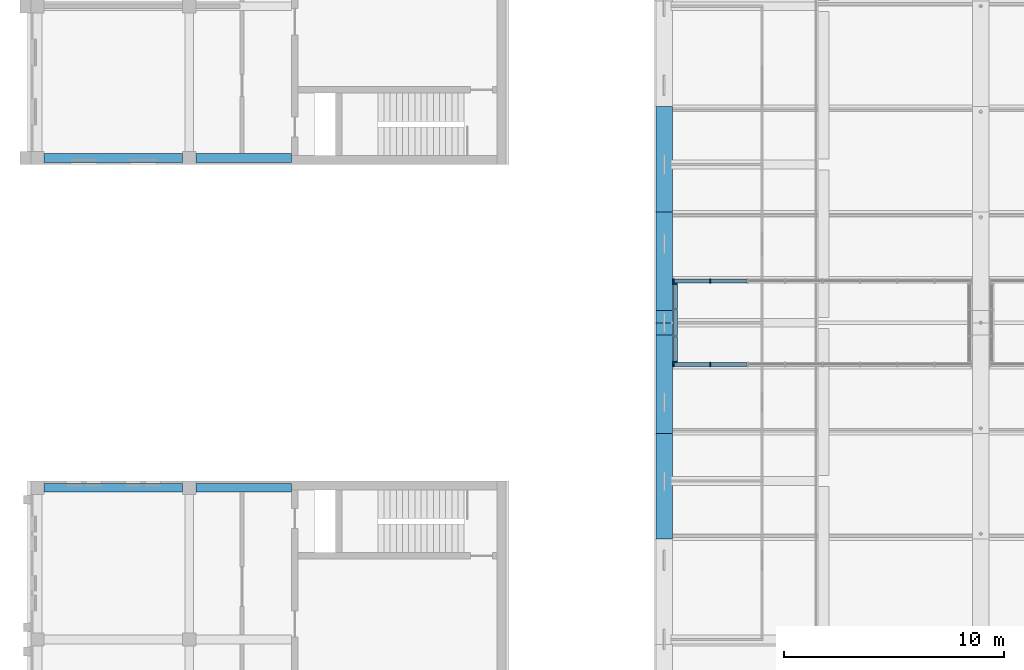
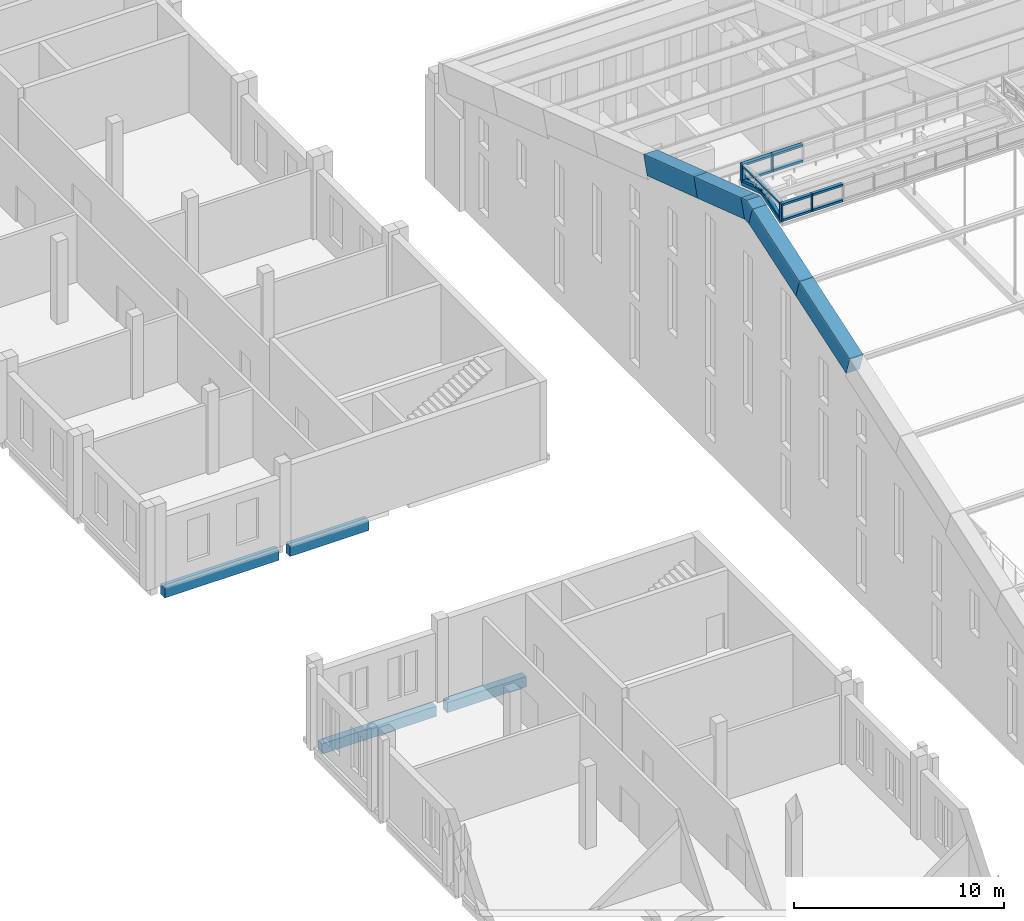
# One storey, part 28 of 149: 23 members, 8 beams, 3 elements without a shape of their own.
"""IFC4 building model written with IfcOpenShell, lengths in metres."""

from ifc_helpers import new_model, si_unit, direction, frame, origin, origin_2d, place, context, subcontext, project, spatial, polyline, rectangle, outline, extrude, material, material_profile, profile_set, type_object, element, aggregate, save


model = new_model("IFC4")

# Units and contexts
model_context = context("Model", 3, precision=1e-05, world=origin(), true_north=direction((0.0, 1.0)))
body_context = subcontext(model_context, "Body", "Model", "MODEL_VIEW")
ifc_project = project(units=[si_unit("LENGTHUNIT", "METRE"), si_unit("AREAUNIT", "SQUARE_METRE"), si_unit("VOLUMEUNIT", "CUBIC_METRE"), si_unit("PLANEANGLEUNIT", "RADIAN"), si_unit("MASSUNIT", "GRAM", prefix="KILO")], contexts=[model_context])

# Site, building, storey
site_placement = place(None, origin())
site = spatial("IfcSite", under=ifc_project, at=site_placement, CompositionType="ELEMENT")
building_placement = place(site_placement, origin())
building = spatial("IfcBuilding", under=site, at=building_placement, Name="Alderwick Market Hall", CompositionType="ELEMENT")
storey_placement = place(building_placement, frame((0.0, 0.0, 9.60009765625)))
storey = spatial("IfcBuildingStorey", under=building, at=storey_placement, Name="L01", CompositionType="ELEMENT", Elevation=9.60009765625)

# Beams
ifc_material_1 = material(Name="Concrete 5000 psi (f'c 35 MPa)", Category="concrete")
ifc_material_profile_1 = material_profile(ifc_material_1, rectangle(XDim=0.39990234375, YDim=0.60009765625, at=origin_2d()), Name="B RC Beam 400x600")
ifc_profile_set_1 = profile_set([ifc_material_profile_1], Name="Concrete 5000 psi (f'c 35 MPa)")
beam_type_1 = type_object("IfcBeamType", Name="B RC Beam 400x600", PredefinedType="BEAM", material=ifc_profile_set_1)
beam_1_placement = place(storey_placement, frame((22.199951171875, 86.699951171875, -0.550048828125), z_axis=(1.0, 0.0, 0.0), x_axis=(0.0, 1.0, 0.0)))
element("IfcBeam", 1, at=beam_1_placement, inside=storey, type_object=beam_type_1, Name="B.N.beam.L01.u429-0006", PredefinedType="BEAM", context=body_context, shape_type="SweptSolid", body=[
    extrude(rectangle(XDim=0.39990234375, YDim=0.60009765625, at=origin_2d()), origin(), (0.0, 0.0, 1.0), 6.300048828125),
])
beam_2_placement = place(storey_placement, frame((29.10009765625, 86.699951171875, -0.550048828125), z_axis=(1.0, 0.0, 0.0), x_axis=(0.0, 1.0, 0.0)))
element("IfcBeam", 2, at=beam_2_placement, inside=storey, type_object=beam_type_1, Name="B.N.beam.L01.u429-0075", PredefinedType="BEAM", context=body_context, shape_type="SweptSolid", body=[
    extrude(rectangle(XDim=0.39990234375, YDim=0.60009765625, at=origin_2d()), origin(), (0.0, 0.0, 1.0), 4.349853515625),
])
beam_3_placement = place(storey_placement, frame((22.199951171875, 71.699951171875, -0.550048828125), z_axis=(1.0, 0.0, 0.0), x_axis=(0.0, 1.0, 0.0)))
element("IfcBeam", 3, at=beam_3_placement, inside=storey, type_object=beam_type_1, Name="B.S.beam.L01.u429-0006", PredefinedType="BEAM", context=body_context, shape_type="SweptSolid", body=[
    extrude(rectangle(XDim=0.39990234375, YDim=0.60009765625, at=origin_2d()), origin(), (0.0, 0.0, 1.0), 6.300048828125),
])
beam_4_placement = place(storey_placement, frame((29.10009765625, 71.699951171875, -0.550048828125), z_axis=(1.0, 0.0, 0.0), x_axis=(0.0, 1.0, 0.0)))
element("IfcBeam", 4, at=beam_4_placement, inside=storey, type_object=beam_type_1, Name="B.S.beam.L01.u429-0075", PredefinedType="BEAM", context=body_context, shape_type="SweptSolid", body=[
    extrude(rectangle(XDim=0.39990234375, YDim=0.60009765625, at=origin_2d()), origin(), (0.0, 0.0, 1.0), 4.349853515625),
])
ifc_material_profile_2 = material_profile(ifc_material_1, rectangle(XDim=0.75, YDim=1.10009765625, at=origin_2d()), Name="RC 750x1100")
ifc_profile_set_2 = profile_set([ifc_material_profile_2], Name="Concrete 5000 psi (f'c 35 MPa)")
beam_type_2 = type_object("IfcBeamType", Name="R Arch Rib Crown 750x1100", PredefinedType="BEAM", material=ifc_profile_set_2)
beam_5_placement = place(storey_placement, frame((50.39990234375, 69.536865234375, 13.189697265625), z_axis=(0.0, 0.948688123414, 0.316213289559), x_axis=(-1.0, 0.0, 0.0)))
element("IfcBeam", 5, at=beam_5_placement, inside=storey, type_object=beam_type_2, Name="Arch rib 1 chord 5", PredefinedType="BEAM", context=body_context, shape_type="SweptSolid", body=[
    extrude(rectangle(XDim=0.75, YDim=1.10009765625, at=origin_2d()), origin(), (0.0, 0.0, 1.0), 5.059326171875),
])
beam_6_placement = place(storey_placement, frame((50.39990234375, 74.336669921875, 14.78955078125), z_axis=(0.0, 0.948678138981, 0.316243242806), x_axis=(-1.0, 0.0, 0.0)))
element("IfcBeam", 6, at=beam_6_placement, inside=storey, type_object=beam_type_2, Name="Arch rib 1 chord 6", PredefinedType="BEAM", context=body_context, shape_type="SweptSolid", body=[
    extrude(rectangle(XDim=0.75, YDim=1.10009765625, at=origin_2d()), origin(), (0.0, 0.0, 1.0), 4.732421875),
])
beam_7_placement = place(storey_placement, frame((50.39990234375, 79.573974609375, 16.2861328125), z_axis=(0.0, 0.948672979153, -0.316258721025), x_axis=(-1.0, 0.0, 0.0)))
element("IfcBeam", 7, at=beam_7_placement, inside=storey, type_object=beam_type_2, Name="Arch rib 1 chord 7", PredefinedType="BEAM", context=body_context, shape_type="SweptSolid", body=[
    extrude(rectangle(XDim=0.75, YDim=1.10009765625, at=origin_2d()), origin(), (0.0, 0.0, 1.0), 4.732177734375),
])
beam_8_placement = place(storey_placement, frame((50.39990234375, 84.063232421875, 14.78955078125), z_axis=(0.0, 0.948692948114, -0.316198814353), x_axis=(-1.0, 0.0, 0.0)))
element("IfcBeam", 8, at=beam_8_placement, inside=storey, type_object=beam_type_2, Name="Arch rib 1 chord 8", PredefinedType="BEAM", context=body_context, shape_type="SweptSolid", body=[
    extrude(rectangle(XDim=0.75, YDim=1.10009765625, at=origin_2d()), origin(), (0.0, 0.0, 1.0), 5.0595703125),
])

# Curtain wall, members
ifc_material_2 = material(Name="Aluminium", Category="aluminium")
curtain_wall_type = type_object("IfcCurtainWallType", Name="R Curtain Wall Frame", PredefinedType="NOTDEFINED", material=ifc_material_2)
curtain_wall_1_placement = place(storey_placement, origin())
curtain_wall_1 = element("IfcCurtainWall", 9, at=curtain_wall_1_placement, inside=storey, type_object=curtain_wall_type, Name="Curtain wall LCW S1", PredefinedType="NOTDEFINED")
ifc_material_profile_3 = material_profile(ifc_material_2, rectangle(XDim=0.199951171875, YDim=0.06005859375, at=origin_2d()), Name="AL 60x200")
ifc_profile_set_3 = profile_set([ifc_material_profile_3], Name="Aluminium")
member_type_1 = type_object("IfcMemberType", Name="R CW Mullion 60x200", PredefinedType="MULLION", material=ifc_profile_set_3)
member_1_placement = place(storey_placement, frame((50.830078125, 77.300048828125, 16.670166015625), z_axis=(0.0, 0.0, 1.0), x_axis=(0.0, 1.0, 0.0)))
member_1 = element("IfcMember", 10, at=member_1_placement, type_object=member_type_1, Name="LCW S1 mullion 1", PredefinedType="MULLION", context=body_context, shape_type="SweptSolid", body=[
    extrude(rectangle(XDim=0.199951171875, YDim=0.06005859375, at=origin_2d()), origin(), (0.0, 0.0, 1.0), 1.02978515625),
])
member_2_placement = place(storey_placement, frame((52.5, 77.300048828125, 16.670166015625), z_axis=(0.0, 0.0, 1.0), x_axis=(0.0, 1.0, 0.0)))
member_2 = element("IfcMember", 11, at=member_2_placement, type_object=member_type_1, Name="LCW S1 mullion 2", PredefinedType="MULLION", context=body_context, shape_type="SweptSolid", body=[
    extrude(rectangle(XDim=0.199951171875, YDim=0.06005859375, at=origin_2d()), origin(), (0.0, 0.0, 1.0), 1.02978515625),
])

curtain_wall_2_placement = place(storey_placement, origin())
curtain_wall_2 = element("IfcCurtainWall", 12, at=curtain_wall_2_placement, inside=storey, type_object=curtain_wall_type, Name="Curtain wall LCW N1", PredefinedType="NOTDEFINED")
member_3_placement = place(storey_placement, frame((50.830078125, 81.10009765625, 16.670166015625), z_axis=(0.0, 0.0, 1.0), x_axis=(0.0, 1.0, 0.0)))
member_3 = element("IfcMember", 13, at=member_3_placement, type_object=member_type_1, Name="LCW N1 mullion 1", PredefinedType="MULLION", context=body_context, shape_type="SweptSolid", body=[
    extrude(rectangle(XDim=0.199951171875, YDim=0.06005859375, at=origin_2d()), origin(), (0.0, 0.0, 1.0), 1.02978515625),
])
member_4_placement = place(storey_placement, frame((52.5, 81.10009765625, 16.670166015625), z_axis=(0.0, 0.0, 1.0), x_axis=(0.0, 1.0, 0.0)))
member_4 = element("IfcMember", 14, at=member_4_placement, type_object=member_type_1, Name="LCW N1 mullion 2", PredefinedType="MULLION", context=body_context, shape_type="SweptSolid", body=[
    extrude(rectangle(XDim=0.199951171875, YDim=0.06005859375, at=origin_2d()), origin(), (0.0, 0.0, 1.0), 1.02978515625),
])

curtain_wall_3_placement = place(storey_placement, origin())
curtain_wall_3 = element("IfcCurtainWall", 15, at=curtain_wall_3_placement, inside=storey, type_object=curtain_wall_type, Name="Curtain wall LCW W1", PredefinedType="NOTDEFINED")
member_5_placement = place(storey_placement, frame((50.89990234375, 77.429931640625, 16.713623046875), z_axis=(0.0, 0.0, 1.0), x_axis=(1.0, 0.0, 0.0)))
member_5 = element("IfcMember", 16, at=member_5_placement, type_object=member_type_1, Name="LCW W1 mullion 1", PredefinedType="MULLION", context=body_context, shape_type="SweptSolid", body=[
    extrude(rectangle(XDim=0.199951171875, YDim=0.06005859375, at=origin_2d()), origin(), (0.0, 0.0, 1.0), 0.986328125),
])
member_6_placement = place(storey_placement, frame((50.89990234375, 80.969970703125, 16.713623046875), z_axis=(0.0, 0.0, 1.0), x_axis=(1.0, 0.0, 0.0)))
member_6 = element("IfcMember", 17, at=member_6_placement, type_object=member_type_1, Name="LCW W1 mullion 4", PredefinedType="MULLION", context=body_context, shape_type="SweptSolid", body=[
    extrude(rectangle(XDim=0.199951171875, YDim=0.06005859375, at=origin_2d()), origin(), (0.0, 0.0, 1.0), 0.986328125),
])

# Member
ifc_material_profile_4 = material_profile(ifc_material_2, rectangle(XDim=0.199951171875, YDim=0.1201171875, at=origin_2d()), Name="AL 120x200")
ifc_profile_set_4 = profile_set([ifc_material_profile_4], Name="Aluminium")
member_type_2 = type_object("IfcMemberType", Name="R CW Transom 120x200", PredefinedType="USERDEFINED", material=ifc_profile_set_4)
member_7_placement = place(storey_placement, frame((50.860107421875, 77.300048828125, 16.730224609375), z_axis=(1.0, 0.0, 0.0), x_axis=(0.0, 1.0, 0.0)))
member_7 = element("IfcMember", 18, at=member_7_placement, type_object=member_type_2, Name="LCW S1 sill transom 1", ObjectType="TRANSOM", PredefinedType="USERDEFINED", context=body_context, shape_type="SweptSolid", body=[
    extrude(rectangle(XDim=0.199951171875, YDim=0.1201171875, at=origin_2d()), origin(), (0.0, 0.0, 1.0), 1.60986328125),
])

member_8_placement = place(storey_placement, frame((50.860107421875, 77.300048828125, 17.639892578125), z_axis=(1.0, 0.0, 0.0), x_axis=(0.0, 1.0, 0.0)))
member_8 = element("IfcMember", 19, at=member_8_placement, type_object=member_type_2, Name="LCW S1 head transom 1", ObjectType="TRANSOM", PredefinedType="USERDEFINED", context=body_context, shape_type="SweptSolid", body=[
    extrude(rectangle(XDim=0.199951171875, YDim=0.1201171875, at=origin_2d()), origin(), (0.0, 0.0, 1.0), 1.60986328125),
])

member_9_placement = place(storey_placement, frame((52.530029296875, 77.300048828125, 16.730224609375), z_axis=(1.0, 0.0, 0.0), x_axis=(0.0, 1.0, 0.0)))
member_9 = element("IfcMember", 20, at=member_9_placement, type_object=member_type_2, Name="LCW S1 sill transom 2", ObjectType="TRANSOM", PredefinedType="USERDEFINED", context=body_context, shape_type="SweptSolid", body=[
    extrude(rectangle(XDim=0.199951171875, YDim=0.1201171875, at=origin_2d()), origin(), (0.0, 0.0, 1.0), 1.639892578125),
])

member_10_placement = place(storey_placement, frame((52.530029296875, 77.300048828125, 17.639892578125), z_axis=(1.0, 0.0, 0.0), x_axis=(0.0, 1.0, 0.0)))
member_10 = element("IfcMember", 21, at=member_10_placement, type_object=member_type_2, Name="LCW S1 head transom 2", ObjectType="TRANSOM", PredefinedType="USERDEFINED", context=body_context, shape_type="SweptSolid", body=[
    extrude(rectangle(XDim=0.199951171875, YDim=0.1201171875, at=origin_2d()), origin(), (0.0, 0.0, 1.0), 1.639892578125),
])

aggregate(curtain_wall_1, [member_1, member_2, member_7, member_8, member_9, member_10])

member_11_placement = place(storey_placement, frame((50.860107421875, 81.10009765625, 16.730224609375), z_axis=(1.0, 0.0, 0.0), x_axis=(0.0, 1.0, 0.0)))
member_11 = element("IfcMember", 22, at=member_11_placement, type_object=member_type_2, Name="LCW N1 sill transom 1", ObjectType="TRANSOM", PredefinedType="USERDEFINED", context=body_context, shape_type="SweptSolid", body=[
    extrude(rectangle(XDim=0.199951171875, YDim=0.1201171875, at=origin_2d()), origin(), (0.0, 0.0, 1.0), 1.60986328125),
])

member_12_placement = place(storey_placement, frame((50.860107421875, 81.10009765625, 17.639892578125), z_axis=(1.0, 0.0, 0.0), x_axis=(0.0, 1.0, 0.0)))
member_12 = element("IfcMember", 23, at=member_12_placement, type_object=member_type_2, Name="LCW N1 head transom 1", ObjectType="TRANSOM", PredefinedType="USERDEFINED", context=body_context, shape_type="SweptSolid", body=[
    extrude(rectangle(XDim=0.199951171875, YDim=0.1201171875, at=origin_2d()), origin(), (0.0, 0.0, 1.0), 1.60986328125),
])

member_13_placement = place(storey_placement, frame((52.530029296875, 81.10009765625, 16.730224609375), z_axis=(1.0, 0.0, 0.0), x_axis=(0.0, 1.0, 0.0)))
member_13 = element("IfcMember", 24, at=member_13_placement, type_object=member_type_2, Name="LCW N1 sill transom 2", ObjectType="TRANSOM", PredefinedType="USERDEFINED", context=body_context, shape_type="SweptSolid", body=[
    extrude(rectangle(XDim=0.199951171875, YDim=0.1201171875, at=origin_2d()), origin(), (0.0, 0.0, 1.0), 1.639892578125),
])

member_14_placement = place(storey_placement, frame((52.530029296875, 81.10009765625, 17.639892578125), z_axis=(1.0, 0.0, 0.0), x_axis=(0.0, 1.0, 0.0)))
member_14 = element("IfcMember", 25, at=member_14_placement, type_object=member_type_2, Name="LCW N1 head transom 2", ObjectType="TRANSOM", PredefinedType="USERDEFINED", context=body_context, shape_type="SweptSolid", body=[
    extrude(rectangle(XDim=0.199951171875, YDim=0.1201171875, at=origin_2d()), origin(), (0.0, 0.0, 1.0), 1.639892578125),
])

aggregate(curtain_wall_2, [member_3, member_4, member_11, member_12, member_13, member_14])

member_15_placement = place(storey_placement, frame((50.89990234375, 77.4599609375, 16.783447265625), z_axis=(0.0, 0.948662432506, 0.316290355768), x_axis=(-1.0, 0.0, 0.0)))
member_15 = element("IfcMember", 26, at=member_15_placement, type_object=member_type_2, Name="LCW W1 sill transom 1", ObjectType="TRANSOM", PredefinedType="USERDEFINED", context=body_context, shape_type="SweptSolid", body=[
    extrude(rectangle(XDim=0.199951171875, YDim=0.1201171875, at=origin_2d()), origin(), (0.0, 0.0, 1.0), 1.170166015625),
])

member_16_placement = place(storey_placement, frame((50.89990234375, 77.4599609375, 17.639892578125), z_axis=(0.0, 1.0, 0.0), x_axis=(-1.0, 0.0, 0.0)))
member_16 = element("IfcMember", 27, at=member_16_placement, type_object=member_type_2, Name="LCW W1 head transom 1", ObjectType="TRANSOM", PredefinedType="USERDEFINED", context=body_context, shape_type="SweptSolid", body=[
    extrude(rectangle(XDim=0.199951171875, YDim=0.1201171875, at=origin_2d()), origin(), (0.0, 0.0, 1.0), 1.110107421875),
])

member_17_placement = place(storey_placement, frame((50.89990234375, 78.6298828125, 17.173583984375), z_axis=(0.0, 1.0, 0.0), x_axis=(-1.0, 0.0, 0.0)))
member_17 = element("IfcMember", 28, at=member_17_placement, type_object=member_type_2, Name="LCW W1 sill transom 2", ObjectType="TRANSOM", PredefinedType="USERDEFINED", context=body_context, shape_type="SweptSolid", body=[
    extrude(rectangle(XDim=0.199951171875, YDim=0.1201171875, at=origin_2d()), origin(), (0.0, 0.0, 1.0), 1.14013671875),
])

member_18_placement = place(storey_placement, frame((50.89990234375, 78.6298828125, 17.639892578125), z_axis=(0.0, 1.0, 0.0), x_axis=(-1.0, 0.0, 0.0)))
member_18 = element("IfcMember", 29, at=member_18_placement, type_object=member_type_2, Name="LCW W1 head transom 2", ObjectType="TRANSOM", PredefinedType="USERDEFINED", context=body_context, shape_type="SweptSolid", body=[
    extrude(rectangle(XDim=0.199951171875, YDim=0.1201171875, at=origin_2d()), origin(), (0.0, 0.0, 1.0), 1.14013671875),
])

member_19_placement = place(storey_placement, frame((50.89990234375, 79.830078125, 17.153564453125), z_axis=(0.0, 0.948641554568, -0.316352968923), x_axis=(-1.0, 0.0, 0.0)))
member_19 = element("IfcMember", 30, at=member_19_placement, type_object=member_type_2, Name="LCW W1 sill transom 3", ObjectType="TRANSOM", PredefinedType="USERDEFINED", context=body_context, shape_type="SweptSolid", body=[
    extrude(rectangle(XDim=0.199951171875, YDim=0.1201171875, at=origin_2d()), origin(), (0.0, 0.0, 1.0), 1.169921875),
])

member_20_placement = place(storey_placement, frame((50.89990234375, 79.830078125, 17.639892578125), z_axis=(0.0, 1.0, 0.0), x_axis=(-1.0, 0.0, 0.0)))
member_20 = element("IfcMember", 31, at=member_20_placement, type_object=member_type_2, Name="LCW W1 head transom 3", ObjectType="TRANSOM", PredefinedType="USERDEFINED", context=body_context, shape_type="SweptSolid", body=[
    extrude(rectangle(XDim=0.199951171875, YDim=0.1201171875, at=origin_2d()), origin(), (0.0, 0.0, 1.0), 1.10986328125),
])

ifc_material_profile_5 = material_profile(ifc_material_1, outline(polyline([(-0.199951171875, 0.0), (-0.5478515625, 1.04345703125), (0.0, 1.22607421875), (0.5478515625, 1.04345703125), (0.199951171875, 0.0), (-0.199951171875, 0.0)])), Name="RC crown knuckle")
ifc_profile_set_5 = profile_set([ifc_material_profile_5], Name="Concrete 5000 psi (f'c 35 MPa)")
member_type_3 = type_object("IfcMemberType", Name="R Crown Knuckle 750", PredefinedType="MEMBER", material=ifc_profile_set_5)
member_21_placement = place(storey_placement, frame((50.02490234375, 79.199951171875, 15.764404296875), z_axis=(1.0, 0.0, 0.0), x_axis=(0.0, 1.0, 0.0)))
element("IfcMember", 32, at=member_21_placement, inside=storey, type_object=member_type_3, Name="Crown knuckle 1", PredefinedType="MEMBER", context=body_context, shape_type="SweptSolid", body=[
    extrude(outline(polyline([(-0.199951171875, 0.0), (-0.5478515625, 1.04345703125), (0.0, 1.22607421875), (0.5478515625, 1.04345703125), (0.199951171875, 0.0), (-0.199951171875, 0.0)])), origin(), (0.0, 0.0, 1.0), 0.75),
])

ifc_material_3 = material(Name="Steel ASTM A572 Grade 50", Category="steel")
ifc_material_profile_6 = material_profile(ifc_material_3, rectangle(XDim=0.199951171875, YDim=0.25, at=origin_2d()), Name="Steel plate curb 200x250")
ifc_profile_set_6 = profile_set([ifc_material_profile_6], Name="Steel ASTM A572 Grade 50")
member_type_4 = type_object("IfcMemberType", Name="R Lantern Curb 200x250", PredefinedType="MEMBER", material=ifc_profile_set_6)
member_22_placement = place(storey_placement, frame((50.89990234375, 77.335205078125, 16.5849609375), z_axis=(0.0, 0.948683298051, 0.316227766017), x_axis=(-1.0, 0.0, 0.0)))
member_22 = element("IfcMember", 33, at=member_22_placement, type_object=member_type_4, Name="Lantern end curb W1.1", PredefinedType="MEMBER", context=body_context, shape_type="SweptSolid", body=[
    extrude(rectangle(XDim=0.199951171875, YDim=0.25, at=origin_2d()), origin(), (0.0, 0.0, 1.0), 1.965576171875),
])

member_23_placement = place(storey_placement, frame((50.89990234375, 79.199951171875, 17.20654296875), z_axis=(0.0, 0.948695716428, -0.316190508447), x_axis=(-1.0, 0.0, 0.0)))
member_23 = element("IfcMember", 34, at=member_23_placement, type_object=member_type_4, Name="Lantern end curb W1.2", PredefinedType="MEMBER", context=body_context, shape_type="SweptSolid", body=[
    extrude(rectangle(XDim=0.199951171875, YDim=0.25, at=origin_2d()), origin(), (0.0, 0.0, 1.0), 1.9658203125),
])

aggregate(curtain_wall_3, [member_5, member_6, member_15, member_16, member_17, member_18, member_19, member_20, member_22, member_23])

save(model, "model.ifc")
